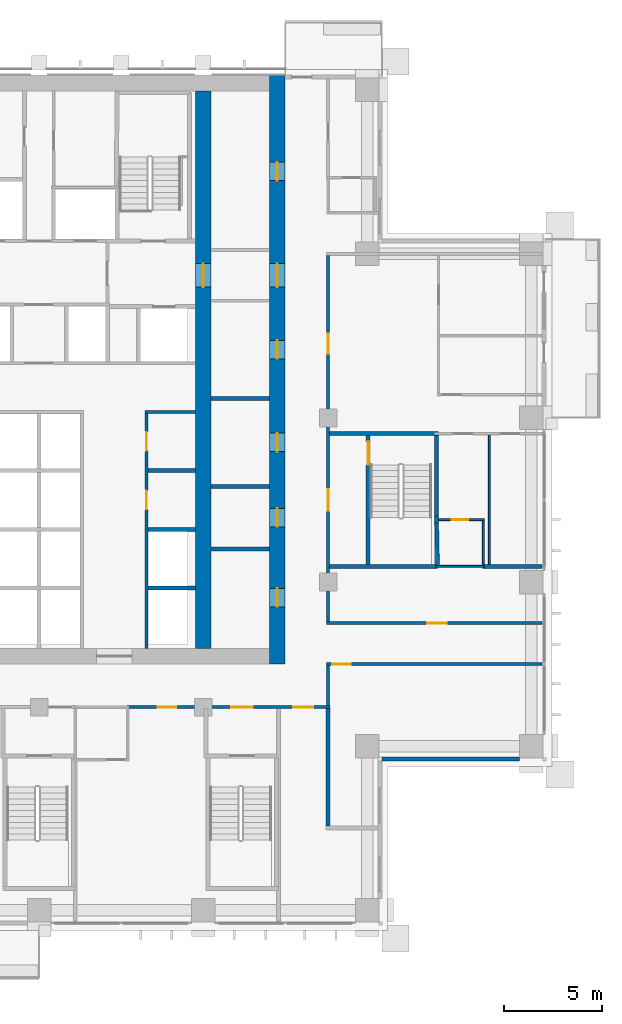
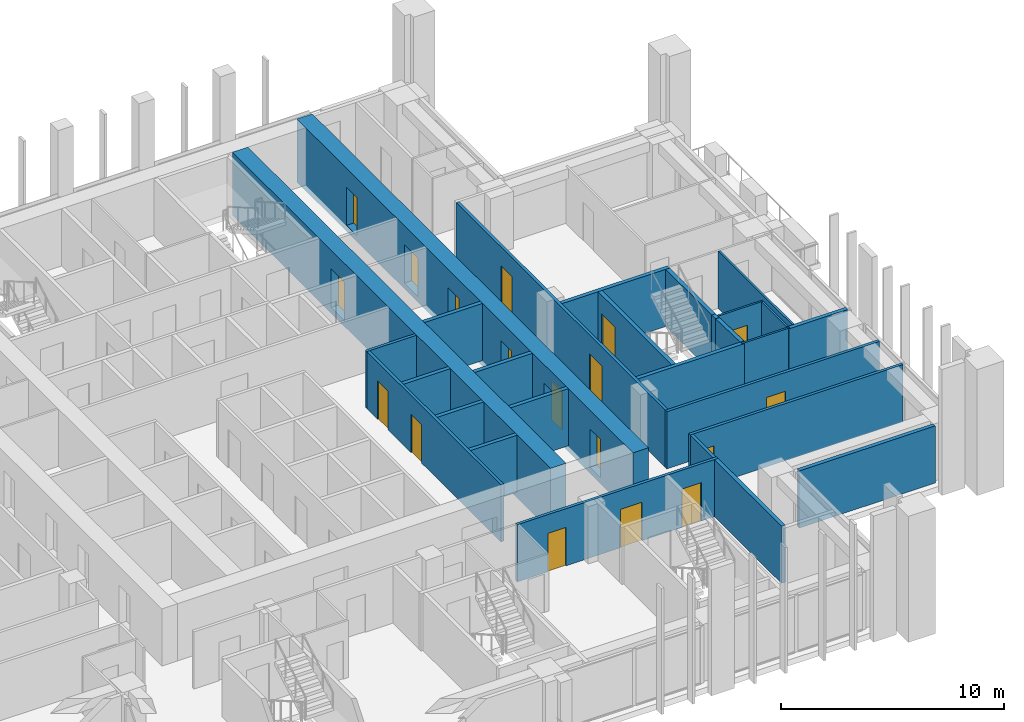
# One storey, part 9 of 17: 28 walls, 18 doors, 18 openings.
"""IFC4 building model written with IfcOpenShell, lengths in metres."""

from ifc_helpers import new_model, si_unit, direction, frame, frame_2d, origin, place, context, subcontext, project, spatial, rectangle, extrude, material, layer, layer_set, type_object, element, fill, save


model = new_model("IFC4")

# Units and contexts
model_context = context("Model", 3, precision=1e-05, world=origin(), true_north=direction((0.0, 1.0)))
body_context = subcontext(model_context, "Body", "Model", "MODEL_VIEW")
ifc_project = project(units=[si_unit("LENGTHUNIT", "METRE"), si_unit("AREAUNIT", "SQUARE_METRE"), si_unit("VOLUMEUNIT", "CUBIC_METRE"), si_unit("PLANEANGLEUNIT", "RADIAN"), si_unit("MASSUNIT", "GRAM", prefix="KILO")], contexts=[model_context])

# Site, building, storey
site_placement = place(None, origin())
site = spatial("IfcSite", under=ifc_project, at=site_placement, CompositionType="ELEMENT")
building_placement = place(site_placement, origin())
building = spatial("IfcBuilding", under=site, at=building_placement, Name="Vermilion Ogive Tower", CompositionType="ELEMENT")
storey_placement = place(building_placement, frame((0.0, 0.0, 111.449951171875)))
storey = spatial("IfcBuildingStorey", under=building, at=storey_placement, Name="L28", CompositionType="ELEMENT", Elevation=111.449951171875)

# Wall, openings, doors
ifc_material_1 = material(Name="Concrete B80", Category="concrete")
ifc_layer_1 = layer(ifc_material_1, 0.800048828125)
ifc_layer_set_1 = layer_set([ifc_layer_1], Name="Core wall 800 B80")
wall_type_1 = type_object("IfcWallType", Name="Core wall 800 B80", PredefinedType="SHEAR", material=ifc_layer_set_1)
wall_1_placement = place(storey_placement, frame((12.199951171875, -8.39990234375, -0.320068359375), z_axis=(0.0, 0.0, 1.0), x_axis=(0.0, 1.0, 0.0)))
wall_1 = element("IfcWall", 1, at=wall_1_placement, inside=storey, type_object=wall_type_1, Name="L28-CORE-E", PredefinedType="SHEAR", context=body_context, shape_type="SweptSolid", body=[
    extrude(rectangle(XDim=30.14990234375, YDim=0.800048828125, at=frame_2d((15.074951171875, 0.0))), origin(), (0.0, 0.0, 1.0), 3.4501953125),
])
opening_1_placement = place(wall_1_placement, frame((2.925048828125, 0.0, 0.320068359375)))
opening_1 = element("IfcOpeningElement", 2, at=opening_1_placement, cuts=wall_1, Name="Opening DAC056", PredefinedType="OPENING", context=body_context, shape_type="SweptSolid", body=[
    extrude(rectangle(XDim=0.949951171875, YDim=2.10009765625, at=frame_2d((0.47509765625, 1.050048828125))), frame((0.0, 0.409912109375, 0.0), z_axis=(0.0, -1.0, 0.0), x_axis=(1.0, 0.0, 0.0)), (0.0, 0.0, 1.0), 0.820068359375),
])
opening_2_placement = place(wall_1_placement, frame((7.02490234375, 0.0, 0.320068359375)))
opening_2 = element("IfcOpeningElement", 3, at=opening_2_placement, cuts=wall_1, Name="Opening DAC057", PredefinedType="OPENING", context=body_context, shape_type="SweptSolid", body=[
    extrude(rectangle(XDim=0.949951171875, YDim=2.10009765625, at=frame_2d((0.47509765625, 1.050048828125))), frame((0.0, 0.409912109375, 0.0), z_axis=(0.0, -1.0, 0.0), x_axis=(1.0, 0.0, 0.0)), (0.0, 0.0, 1.0), 0.820068359375),
])
opening_3_placement = place(wall_1_placement, frame((10.875, 0.0, 0.320068359375)))
opening_3 = element("IfcOpeningElement", 4, at=opening_3_placement, cuts=wall_1, Name="Opening DAC058", PredefinedType="OPENING", context=body_context, shape_type="SweptSolid", body=[
    extrude(rectangle(XDim=0.949951171875, YDim=2.10009765625, at=frame_2d((0.47509765625, 1.050048828125))), frame((0.0, 0.409912109375, 0.0), z_axis=(0.0, -1.0, 0.0), x_axis=(1.0, 0.0, 0.0)), (0.0, 0.0, 1.0), 0.820068359375),
])
opening_4_placement = place(wall_1_placement, frame((15.625, 0.0, 0.320068359375)))
opening_4 = element("IfcOpeningElement", 5, at=opening_4_placement, cuts=wall_1, Name="Opening DAC059", PredefinedType="OPENING", context=body_context, shape_type="SweptSolid", body=[
    extrude(rectangle(XDim=0.949951171875, YDim=2.10009765625, at=frame_2d((0.47509765625, 1.050048828125))), frame((0.0, 0.409912109375, 0.0), z_axis=(0.0, -1.0, 0.0), x_axis=(1.0, 0.0, 0.0)), (0.0, 0.0, 1.0), 0.820068359375),
])
opening_5_placement = place(wall_1_placement, frame((24.75, 0.0, 0.320068359375)))
opening_5 = element("IfcOpeningElement", 6, at=opening_5_placement, cuts=wall_1, Name="Opening DAC060", PredefinedType="OPENING", context=body_context, shape_type="SweptSolid", body=[
    extrude(rectangle(XDim=0.949951171875, YDim=2.10009765625, at=frame_2d((0.47509765625, 1.050048828125))), frame((0.0, 0.409912109375, 0.0), z_axis=(0.0, -1.0, 0.0), x_axis=(1.0, 0.0, 0.0)), (0.0, 0.0, 1.0), 0.820068359375),
])
opening_6_placement = place(wall_1_placement, frame((19.300048828125, 0.0, 0.320068359375)))
opening_6 = element("IfcOpeningElement", 7, at=opening_6_placement, cuts=wall_1, Name="Opening DAL011", PredefinedType="OPENING", context=body_context, shape_type="SweptSolid", body=[
    extrude(rectangle(XDim=1.199951171875, YDim=2.10009765625, at=frame_2d((0.60009765625, 1.050048828125))), frame((0.0, 0.409912109375, 0.0), z_axis=(0.0, -1.0, 0.0), x_axis=(1.0, 0.0, 0.0)), (0.0, 0.0, 1.0), 0.820068359375),
])
ifc_material_2 = material(Name="Timber door leaf", Category="wood")
door_type_1 = type_object("IfcDoorType", Name="Link door 1200 x 2100 FD60S", OperationType="SINGLE_SWING_LEFT", PredefinedType="DOOR", material=ifc_material_2)
door_1_placement = place(opening_6_placement, origin())
door_1 = element("IfcDoor", 8, at=door_1_placement, inside=storey, type_object=door_type_1, Name="L28-CKE-XL", OperationType="SINGLE_SWING_LEFT", OverallHeight=2.10009765625, OverallWidth=1.199951171875, PredefinedType="DOOR", context=body_context, shape_type="SweptSolid", body=[
    extrude(rectangle(XDim=1.199951171875, YDim=2.10009765625, at=frame_2d((0.60009765625, 1.050048828125))), frame((0.0, 0.02490234375, 0.0), z_axis=(0.0, -1.0, 0.0), x_axis=(1.0, 0.0, 0.0)), (0.0, 0.0, 1.0), 0.050048828125),
])
fill(opening_6, door_1)
ifc_material_3 = material(Name="Timber door leaf", Category="wood")
door_type_2 = type_object("IfcDoorType", Name="Service door 950 x 2100 FD60", OperationType="SINGLE_SWING_LEFT", PredefinedType="DOOR", material=ifc_material_3)
door_2_placement = place(opening_1_placement, origin())
door_2 = element("IfcDoor", 9, at=door_2_placement, inside=storey, type_object=door_type_2, Name="L28-CKE-XR0", OperationType="SINGLE_SWING_LEFT", OverallHeight=2.10009765625, OverallWidth=0.949951171875, PredefinedType="DOOR", context=body_context, shape_type="SweptSolid", body=[
    extrude(rectangle(XDim=0.949951171875, YDim=2.10009765625, at=frame_2d((0.47509765625, 1.050048828125))), frame((0.0, 0.02490234375, 0.0), z_axis=(0.0, -1.0, 0.0), x_axis=(1.0, 0.0, 0.0)), (0.0, 0.0, 1.0), 0.050048828125),
])
fill(opening_1, door_2)
door_3_placement = place(opening_2_placement, origin())
door_3 = element("IfcDoor", 10, at=door_3_placement, inside=storey, type_object=door_type_2, Name="L28-CKE-XR1", OperationType="SINGLE_SWING_LEFT", OverallHeight=2.10009765625, OverallWidth=0.949951171875, PredefinedType="DOOR", context=body_context, shape_type="SweptSolid", body=[
    extrude(rectangle(XDim=0.949951171875, YDim=2.10009765625, at=frame_2d((0.47509765625, 1.050048828125))), frame((0.0, 0.02490234375, 0.0), z_axis=(0.0, -1.0, 0.0), x_axis=(1.0, 0.0, 0.0)), (0.0, 0.0, 1.0), 0.050048828125),
])
fill(opening_2, door_3)
door_4_placement = place(opening_3_placement, origin())
door_4 = element("IfcDoor", 11, at=door_4_placement, inside=storey, type_object=door_type_2, Name="L28-CKE-XR2", OperationType="SINGLE_SWING_LEFT", OverallHeight=2.10009765625, OverallWidth=0.949951171875, PredefinedType="DOOR", context=body_context, shape_type="SweptSolid", body=[
    extrude(rectangle(XDim=0.949951171875, YDim=2.10009765625, at=frame_2d((0.47509765625, 1.050048828125))), frame((0.0, 0.02490234375, 0.0), z_axis=(0.0, -1.0, 0.0), x_axis=(1.0, 0.0, 0.0)), (0.0, 0.0, 1.0), 0.050048828125),
])
fill(opening_3, door_4)
door_5_placement = place(opening_4_placement, origin())
door_5 = element("IfcDoor", 12, at=door_5_placement, inside=storey, type_object=door_type_2, Name="L28-CKE-XR3", OperationType="SINGLE_SWING_LEFT", OverallHeight=2.10009765625, OverallWidth=0.949951171875, PredefinedType="DOOR", context=body_context, shape_type="SweptSolid", body=[
    extrude(rectangle(XDim=0.949951171875, YDim=2.10009765625, at=frame_2d((0.47509765625, 1.050048828125))), frame((0.0, 0.02490234375, 0.0), z_axis=(0.0, -1.0, 0.0), x_axis=(1.0, 0.0, 0.0)), (0.0, 0.0, 1.0), 0.050048828125),
])
fill(opening_4, door_5)
door_6_placement = place(opening_5_placement, origin())
door_6 = element("IfcDoor", 13, at=door_6_placement, inside=storey, type_object=door_type_2, Name="L28-CKE-XR4", OperationType="SINGLE_SWING_LEFT", OverallHeight=2.10009765625, OverallWidth=0.949951171875, PredefinedType="DOOR", context=body_context, shape_type="SweptSolid", body=[
    extrude(rectangle(XDim=0.949951171875, YDim=2.10009765625, at=frame_2d((0.47509765625, 1.050048828125))), frame((0.0, 0.02490234375, 0.0), z_axis=(0.0, -1.0, 0.0), x_axis=(1.0, 0.0, 0.0)), (0.0, 0.0, 1.0), 0.050048828125),
])
fill(opening_5, door_6)

# Wall, opening, door
wall_2_placement = place(storey_placement, frame((8.39990234375, -7.60009765625, -0.320068359375), z_axis=(0.0, 0.0, 1.0), x_axis=(0.0, 1.0, 0.0)))
wall_2 = element("IfcWall", 14, at=wall_2_placement, inside=storey, type_object=wall_type_1, Name="L28-CORE-WEB2", PredefinedType="SHEAR", context=body_context, shape_type="SweptSolid", body=[
    extrude(rectangle(XDim=28.550048828125, YDim=0.800048828125, at=frame_2d((14.27490234375, 0.0))), origin(), (0.0, 0.0, 1.0), 3.4501953125),
])
opening_7_placement = place(wall_2_placement, frame((18.5, 0.0, 0.320068359375)))
opening_7 = element("IfcOpeningElement", 15, at=opening_7_placement, cuts=wall_2, Name="Opening DAO011", PredefinedType="OPENING", context=body_context, shape_type="SweptSolid", body=[
    extrude(rectangle(XDim=1.199951171875, YDim=2.10009765625, at=frame_2d((0.60009765625, 1.050048828125))), frame((0.0, 0.409912109375, 0.0), z_axis=(0.0, -1.0, 0.0), x_axis=(1.0, 0.0, 0.0)), (0.0, 0.0, 1.0), 0.820068359375),
])
door_7_placement = place(opening_7_placement, origin())
door_7 = element("IfcDoor", 16, at=door_7_placement, inside=storey, type_object=door_type_1, Name="L28-CKE-XW", OperationType="SINGLE_SWING_LEFT", OverallHeight=2.10009765625, OverallWidth=1.199951171875, PredefinedType="DOOR", context=body_context, shape_type="SweptSolid", body=[
    extrude(rectangle(XDim=1.199951171875, YDim=2.10009765625, at=frame_2d((0.60009765625, 1.050048828125))), frame((0.0, 0.02490234375, 0.0), z_axis=(0.0, -1.0, 0.0), x_axis=(1.0, 0.0, 0.0)), (0.0, 0.0, 1.0), 0.050048828125),
])
fill(opening_7, door_7)

# Wall
ifc_material_4 = material(Name="Gypsum board partition on steel studs", Category="steel")
ifc_layer_2 = layer(ifc_material_4, 0.10009765625)
ifc_layer_set_2 = layer_set([ifc_layer_2], Name="Partition 100 bath")
wall_type_2 = type_object("IfcWallType", Name="Partition 100 bath", PredefinedType="PARTITIONING", material=ifc_layer_set_2)
wall_3_placement = place(storey_placement, frame((20.300048828125, -3.39990234375, 0.0), z_axis=(0.0, 0.0, 1.0), x_axis=(1.0, 0.0, 0.0)))
element("IfcWall", 17, at=wall_3_placement, inside=storey, type_object=wall_type_2, Name="L28-W-W023", PredefinedType="PARTITIONING", context=body_context, shape_type="SweptSolid", body=[
    extrude(rectangle(XDim=2.5, YDim=0.10009765625, at=frame_2d((1.25, 0.0))), origin(), (0.0, 0.0, 1.0), 3.130126953125),
])

# Wall, opening, door
wall_4_placement = place(storey_placement, frame((20.449951171875, -1.0, 0.0), z_axis=(0.0, 0.0, 1.0), x_axis=(1.0, 0.0, 0.0)))
wall_4 = element("IfcWall", 18, at=wall_4_placement, inside=storey, type_object=wall_type_2, Name="L28-W-W025", PredefinedType="PARTITIONING", context=body_context, shape_type="SweptSolid", body=[
    extrude(rectangle(XDim=2.35009765625, YDim=0.10009765625, at=frame_2d((1.175048828125, 0.0))), origin(), (0.0, 0.0, 1.0), 3.130126953125),
])
opening_8_placement = place(wall_4_placement, frame((0.675048828125, 0.0, 0.0)))
opening_8 = element("IfcOpeningElement", 19, at=opening_8_placement, cuts=wall_4, Name="Opening D2G5020", PredefinedType="OPENING", context=body_context, shape_type="SweptSolid", body=[
    extrude(rectangle(XDim=0.85009765625, YDim=2.10009765625, at=frame_2d((0.425048828125, 1.050048828125))), frame((0.0, 0.06005859375, 0.0), z_axis=(0.0, -1.0, 0.0), x_axis=(1.0, 0.0, 0.0)), (0.0, 0.0, 1.0), 0.1201171875),
])
ifc_material_5 = material(Name="Timber door leaf", Category="wood")
door_type_3 = type_object("IfcDoorType", Name="Bath door 850 x 2100 FD30", OperationType="SINGLE_SWING_LEFT", PredefinedType="DOOR", material=ifc_material_5)
door_8_placement = place(opening_8_placement, origin())
door_8 = element("IfcDoor", 20, at=door_8_placement, inside=storey, type_object=door_type_3, Name="L28-D-D020", OperationType="SINGLE_SWING_RIGHT", OverallHeight=2.10009765625, OverallWidth=0.85009765625, PredefinedType="DOOR", context=body_context, shape_type="SweptSolid", body=[
    extrude(rectangle(XDim=0.85009765625, YDim=2.10009765625, at=frame_2d((0.425048828125, 1.050048828125))), frame((0.0, 0.02490234375, 0.0), z_axis=(0.0, -1.0, 0.0), x_axis=(1.0, 0.0, 0.0)), (0.0, 0.0, 1.0), 0.050048828125),
])
fill(opening_8, door_8)

# Walls
wall_5_placement = place(storey_placement, frame((22.75, -3.300048828125, 0.0), z_axis=(0.0, 0.0, 1.0), x_axis=(0.0, 1.0, 0.0)))
element("IfcWall", 21, at=wall_5_placement, inside=storey, type_object=wall_type_2, Name="L28-W-W077", PredefinedType="PARTITIONING", context=body_context, shape_type="SweptSolid", body=[
    extrude(rectangle(XDim=2.25, YDim=0.10009765625, at=frame_2d((1.125, 0.0))), origin(), (0.0, 0.0, 1.0), 3.130126953125),
])
ifc_material_6 = material(Name="Gypsum board partition on steel studs", Category="steel")
ifc_layer_3 = layer(ifc_material_6, 0.10009765625)
ifc_layer_set_3 = layer_set([ifc_layer_3], Name="Partition 100 inner")
wall_type_3 = type_object("IfcWallType", Name="Partition 100 inner", PredefinedType="PARTITIONING", material=ifc_layer_set_3)
wall_6_placement = place(storey_placement, frame((23.050048828125, -3.300048828125, 0.0), z_axis=(0.0, 0.0, 1.0), x_axis=(0.0, 1.0, 0.0)))
element("IfcWall", 22, at=wall_6_placement, inside=storey, type_object=wall_type_3, Name="L28-W-W078", PredefinedType="PARTITIONING", context=body_context, shape_type="SweptSolid", body=[
    extrude(rectangle(XDim=6.650146484375, YDim=0.10009765625, at=frame_2d((3.3251953125, 0.0))), origin(), (0.0, 0.0, 1.0), 3.130126953125),
])

# Wall, openings, doors
ifc_material_7 = material(Name="Gypsum board partition on steel studs", Category="steel")
ifc_layer_4 = layer(ifc_material_7, 0.14990234375)
ifc_layer_set_4 = layer_set([ifc_layer_4], Name="Partition 150 corridor")
wall_type_4 = type_object("IfcWallType", Name="Partition 150 corridor", PredefinedType="PARTITIONING", material=ifc_layer_set_4)
wall_7_placement = place(storey_placement, frame((4.5, -10.60009765625, 0.0), z_axis=(0.0, 0.0, 1.0), x_axis=(1.0, 0.0, 0.0)))
wall_7 = element("IfcWall", 23, at=wall_7_placement, inside=storey, type_object=wall_type_4, Name="L28-W-W013", PredefinedType="PARTITIONING", context=body_context, shape_type="SweptSolid", body=[
    extrude(rectangle(XDim=10.39990234375, YDim=0.14990234375, at=frame_2d((5.199951171875, 0.0))), origin(), (0.0, 0.0, 1.0), 3.130126953125),
])
opening_9_placement = place(wall_7_placement, frame((1.574951171875, 0.0, 0.0)))
opening_9 = element("IfcOpeningElement", 24, at=opening_9_placement, cuts=wall_7, Name="Opening D2G5012", PredefinedType="OPENING", context=body_context, shape_type="SweptSolid", body=[
    extrude(rectangle(XDim=0.949951171875, YDim=2.10009765625, at=frame_2d((0.47509765625, 1.050048828125))), frame((0.0, 0.0849609375, 0.0), z_axis=(0.0, -1.0, 0.0), x_axis=(1.0, 0.0, 0.0)), (0.0, 0.0, 1.0), 0.169921875),
])
opening_10_placement = place(wall_7_placement, frame((5.35009765625, 0.0, 0.0)))
opening_10 = element("IfcOpeningElement", 25, at=opening_10_placement, cuts=wall_7, Name="Opening D2G5027", PredefinedType="OPENING", context=body_context, shape_type="SweptSolid", body=[
    extrude(rectangle(XDim=1.10009765625, YDim=2.10009765625, at=frame_2d((0.550048828125, 1.050048828125))), frame((0.0, 0.0849609375, 0.0), z_axis=(0.0, -1.0, 0.0), x_axis=(1.0, 0.0, 0.0)), (0.0, 0.0, 1.0), 0.169921875),
])
opening_11_placement = place(wall_7_placement, frame((8.52490234375, 0.0, 0.0)))
opening_11 = element("IfcOpeningElement", 26, at=opening_11_placement, cuts=wall_7, Name="Opening D2G5033", PredefinedType="OPENING", context=body_context, shape_type="SweptSolid", body=[
    extrude(rectangle(XDim=1.0, YDim=2.10009765625, at=frame_2d((0.5, 1.050048828125))), frame((0.0, 0.0849609375, 0.0), z_axis=(0.0, -1.0, 0.0), x_axis=(1.0, 0.0, 0.0)), (0.0, 0.0, 1.0), 0.169921875),
])
ifc_material_8 = material(Name="Timber door leaf", Category="wood")
door_type_4 = type_object("IfcDoorType", Name="Stair door 1100 x 2100 FD60S", OperationType="SINGLE_SWING_LEFT", PredefinedType="DOOR", material=ifc_material_8)
door_9_placement = place(opening_10_placement, origin())
door_9 = element("IfcDoor", 27, at=door_9_placement, inside=storey, type_object=door_type_4, Name="L28-D-D027", OperationType="SINGLE_SWING_LEFT", OverallHeight=2.10009765625, OverallWidth=1.10009765625, PredefinedType="DOOR", context=body_context, shape_type="SweptSolid", body=[
    extrude(rectangle(XDim=1.10009765625, YDim=2.10009765625, at=frame_2d((0.550048828125, 1.050048828125))), frame((0.0, 0.02490234375, 0.0), z_axis=(0.0, -1.0, 0.0), x_axis=(1.0, 0.0, 0.0)), (0.0, 0.0, 1.0), 0.050048828125),
])
fill(opening_10, door_9)
ifc_material_9 = material(Name="Timber door leaf", Category="wood")
door_type_5 = type_object("IfcDoorType", Name="Unit door 1000 x 2100 FD30S", OperationType="SINGLE_SWING_LEFT", PredefinedType="DOOR", material=ifc_material_9)
door_10_placement = place(opening_11_placement, origin())
door_10 = element("IfcDoor", 28, at=door_10_placement, inside=storey, type_object=door_type_5, Name="L28-D-D033", OperationType="SINGLE_SWING_LEFT", OverallHeight=2.10009765625, OverallWidth=1.0, PredefinedType="DOOR", context=body_context, shape_type="SweptSolid", body=[
    extrude(rectangle(XDim=1.0, YDim=2.10009765625, at=frame_2d((0.5, 1.050048828125))), frame((0.0, 0.02490234375, 0.0), z_axis=(0.0, -1.0, 0.0), x_axis=(1.0, 0.0, 0.0)), (0.0, 0.0, 1.0), 0.050048828125),
])
fill(opening_11, door_10)
ifc_material_10 = material(Name="Timber door leaf", Category="wood")
door_type_6 = type_object("IfcDoorType", Name="Unit door 950 x 2100 FD30S", OperationType="SINGLE_SWING_LEFT", PredefinedType="DOOR", material=ifc_material_10)
door_11_placement = place(opening_9_placement, origin())
door_11 = element("IfcDoor", 29, at=door_11_placement, inside=storey, type_object=door_type_6, Name="L28-D-D012", OperationType="SINGLE_SWING_LEFT", OverallHeight=2.10009765625, OverallWidth=0.949951171875, PredefinedType="DOOR", context=body_context, shape_type="SweptSolid", body=[
    extrude(rectangle(XDim=0.949951171875, YDim=2.10009765625, at=frame_2d((0.47509765625, 1.050048828125))), frame((0.0, 0.02490234375, 0.0), z_axis=(0.0, -1.0, 0.0), x_axis=(1.0, 0.0, 0.0)), (0.0, 0.0, 1.0), 0.050048828125),
])
fill(opening_9, door_11)

# Wall, opening, door
wall_8_placement = place(storey_placement, frame((14.72509765625, -8.39990234375, 0.0), z_axis=(0.0, 0.0, 1.0), x_axis=(1.0, 0.0, 0.0)))
wall_8 = element("IfcWall", 30, at=wall_8_placement, inside=storey, type_object=wall_type_4, Name="L28-W-W016", PredefinedType="PARTITIONING", context=body_context, shape_type="SweptSolid", body=[
    extrude(rectangle(XDim=11.02490234375, YDim=0.14990234375, at=frame_2d((5.512451171875, 0.0))), origin(), (0.0, 0.0, 1.0), 3.130126953125),
])
opening_12_placement = place(wall_8_placement, frame((0.27490234375, 0.0, 0.0)))
opening_12 = element("IfcOpeningElement", 31, at=opening_12_placement, cuts=wall_8, Name="Opening D2G5014", PredefinedType="OPENING", context=body_context, shape_type="SweptSolid", body=[
    extrude(rectangle(XDim=0.949951171875, YDim=2.10009765625, at=frame_2d((0.47509765625, 1.050048828125))), frame((0.0, 0.0849609375, 0.0), z_axis=(0.0, -1.0, 0.0), x_axis=(1.0, 0.0, 0.0)), (0.0, 0.0, 1.0), 0.169921875),
])
door_12_placement = place(opening_12_placement, origin())
door_12 = element("IfcDoor", 32, at=door_12_placement, inside=storey, type_object=door_type_6, Name="L28-D-D014", OperationType="SINGLE_SWING_RIGHT", OverallHeight=2.10009765625, OverallWidth=0.949951171875, PredefinedType="DOOR", context=body_context, shape_type="SweptSolid", body=[
    extrude(rectangle(XDim=0.949951171875, YDim=2.10009765625, at=frame_2d((0.47509765625, 1.050048828125))), frame((0.0, 0.02490234375, 0.0), z_axis=(0.0, -1.0, 0.0), x_axis=(1.0, 0.0, 0.0)), (0.0, 0.0, 1.0), 0.050048828125),
])
fill(opening_12, door_12)

wall_9_placement = place(storey_placement, frame((14.72509765625, -6.300048828125, 0.0), z_axis=(0.0, 0.0, 1.0), x_axis=(1.0, 0.0, 0.0)))
wall_9 = element("IfcWall", 33, at=wall_9_placement, inside=storey, type_object=wall_type_4, Name="L28-W-W018", PredefinedType="PARTITIONING", context=body_context, shape_type="SweptSolid", body=[
    extrude(rectangle(XDim=11.02490234375, YDim=0.14990234375, at=frame_2d((5.512451171875, 0.0))), origin(), (0.0, 0.0, 1.0), 3.130126953125),
])
opening_13_placement = place(wall_9_placement, frame((5.14990234375, 0.0, 0.0)))
opening_13 = element("IfcOpeningElement", 34, at=opening_13_placement, cuts=wall_9, Name="Opening D2G5035", PredefinedType="OPENING", context=body_context, shape_type="SweptSolid", body=[
    extrude(rectangle(XDim=1.0, YDim=2.10009765625, at=frame_2d((0.5, 1.050048828125))), frame((0.0, 0.0849609375, 0.0), z_axis=(0.0, -1.0, 0.0), x_axis=(1.0, 0.0, 0.0)), (0.0, 0.0, 1.0), 0.169921875),
])
door_13_placement = place(opening_13_placement, origin())
door_13 = element("IfcDoor", 35, at=door_13_placement, inside=storey, type_object=door_type_5, Name="L28-D-D035", OperationType="SINGLE_SWING_RIGHT", OverallHeight=2.10009765625, OverallWidth=1.0, PredefinedType="DOOR", context=body_context, shape_type="SweptSolid", body=[
    extrude(rectangle(XDim=1.0, YDim=2.10009765625, at=frame_2d((0.5, 1.050048828125))), frame((0.0, 0.02490234375, 0.0), z_axis=(0.0, -1.0, 0.0), x_axis=(1.0, 0.0, 0.0)), (0.0, 0.0, 1.0), 0.050048828125),
])
fill(opening_13, door_13)

# Wall
wall_10_placement = place(storey_placement, frame((14.800048828125, -10.52490234375, 0.0), z_axis=(0.0, 0.0, 1.0), x_axis=(0.0, 1.0, 0.0)))
element("IfcWall", 36, at=wall_10_placement, inside=storey, type_object=wall_type_4, Name="L28-W-W068", PredefinedType="PARTITIONING", context=body_context, shape_type="SweptSolid", body=[
    extrude(rectangle(XDim=2.0498046875, YDim=0.14990234375, at=frame_2d((1.02490234375, 0.0))), origin(), (0.0, 0.0, 1.0), 3.130126953125),
])

# Wall, openings, doors
wall_11_placement = place(storey_placement, frame((14.800048828125, -6.22509765625, 0.0), z_axis=(0.0, 0.0, 1.0), x_axis=(0.0, 1.0, 0.0)))
wall_11 = element("IfcWall", 37, at=wall_11_placement, inside=storey, type_object=wall_type_4, Name="L28-W-W069", PredefinedType="PARTITIONING", context=body_context, shape_type="SweptSolid", body=[
    extrude(rectangle(XDim=18.75, YDim=0.14990234375, at=frame_2d((9.375, 0.0))), origin(), (0.0, 0.0, 1.0), 3.130126953125),
])
opening_14_placement = place(wall_11_placement, frame((13.72509765625, 0.0, 0.0)))
opening_14 = element("IfcOpeningElement", 38, at=opening_14_placement, cuts=wall_11, Name="Opening D2G5018", PredefinedType="OPENING", context=body_context, shape_type="SweptSolid", body=[
    extrude(rectangle(XDim=1.0, YDim=2.10009765625, at=frame_2d((0.5, 1.050048828125))), frame((0.0, 0.0849609375, 0.0), z_axis=(0.0, -1.0, 0.0), x_axis=(1.0, 0.0, 0.0)), (0.0, 0.0, 1.0), 0.169921875),
])
opening_15_placement = place(wall_11_placement, frame((5.675048828125, 0.0, 0.0)))
opening_15 = element("IfcOpeningElement", 39, at=opening_15_placement, cuts=wall_11, Name="Opening D2G5029", PredefinedType="OPENING", context=body_context, shape_type="SweptSolid", body=[
    extrude(rectangle(XDim=1.10009765625, YDim=2.10009765625, at=frame_2d((0.550048828125, 1.050048828125))), frame((0.0, 0.0849609375, 0.0), z_axis=(0.0, -1.0, 0.0), x_axis=(1.0, 0.0, 0.0)), (0.0, 0.0, 1.0), 0.169921875),
])
door_14_placement = place(opening_15_placement, origin())
door_14 = element("IfcDoor", 40, at=door_14_placement, inside=storey, type_object=door_type_4, Name="L28-D-D029", OperationType="SINGLE_SWING_LEFT", OverallHeight=2.10009765625, OverallWidth=1.10009765625, PredefinedType="DOOR", context=body_context, shape_type="SweptSolid", body=[
    extrude(rectangle(XDim=1.10009765625, YDim=2.10009765625, at=frame_2d((0.550048828125, 1.050048828125))), frame((0.0, 0.02490234375, 0.0), z_axis=(0.0, -1.0, 0.0), x_axis=(1.0, 0.0, 0.0)), (0.0, 0.0, 1.0), 0.050048828125),
])
fill(opening_15, door_14)
door_15_placement = place(opening_14_placement, origin())
door_15 = element("IfcDoor", 41, at=door_15_placement, inside=storey, type_object=door_type_5, Name="L28-D-D018", OperationType="SINGLE_SWING_RIGHT", OverallHeight=2.10009765625, OverallWidth=1.0, PredefinedType="DOOR", context=body_context, shape_type="SweptSolid", body=[
    extrude(rectangle(XDim=1.0, YDim=2.10009765625, at=frame_2d((0.5, 1.050048828125))), frame((0.0, 0.02490234375, 0.0), z_axis=(0.0, -1.0, 0.0), x_axis=(1.0, 0.0, 0.0)), (0.0, 0.0, 1.0), 0.050048828125),
])
fill(opening_14, door_15)

# Wall
wall_12_placement = place(storey_placement, frame((5.425048828125, 4.5, 0.0), z_axis=(0.0, 0.0, 1.0), x_axis=(1.0, 0.0, 0.0)))
element("IfcWall", 42, at=wall_12_placement, inside=storey, type_object=wall_type_4, Name="L28-CK-W-W012", PredefinedType="PARTITIONING", context=body_context, shape_type="SweptSolid", body=[
    extrude(rectangle(XDim=2.573974609375, YDim=0.14990234375, at=frame_2d((1.287109375, 0.0))), origin(), (0.0, 0.0, 1.0), 3.130126953125),
])

# Wall, openings, doors
wall_13_placement = place(storey_placement, frame((5.5, -7.59912109375, 0.0), z_axis=(0.0, 0.0, 1.0), x_axis=(0.0, 1.0, 0.0)))
wall_13 = element("IfcWall", 43, at=wall_13_placement, inside=storey, type_object=wall_type_4, Name="L28-CK-W-W040", PredefinedType="PARTITIONING", context=body_context, shape_type="SweptSolid", body=[
    extrude(rectangle(XDim=12.024169921875, YDim=0.14990234375, at=frame_2d((6.01220703125, 0.0))), origin(), (0.0, 0.0, 1.0), 3.130126953125),
])
opening_16_placement = place(wall_13_placement, frame((7.1240234375, 0.0, 0.0)))
opening_16 = element("IfcOpeningElement", 44, at=opening_16_placement, cuts=wall_13, Name="Opening DAA235", PredefinedType="OPENING", context=body_context, shape_type="SweptSolid", body=[
    extrude(rectangle(XDim=0.949951171875, YDim=2.10009765625, at=frame_2d((0.47509765625, 1.050048828125))), frame((0.0, 0.0849609375, 0.0), z_axis=(0.0, -1.0, 0.0), x_axis=(1.0, 0.0, 0.0)), (0.0, 0.0, 1.0), 0.169921875),
])
opening_17_placement = place(wall_13_placement, frame((10.1240234375, 0.0, 0.0)))
opening_17 = element("IfcOpeningElement", 45, at=opening_17_placement, cuts=wall_13, Name="Opening DAA236", PredefinedType="OPENING", context=body_context, shape_type="SweptSolid", body=[
    extrude(rectangle(XDim=0.949951171875, YDim=2.10009765625, at=frame_2d((0.47509765625, 1.050048828125))), frame((0.0, 0.0849609375, 0.0), z_axis=(0.0, -1.0, 0.0), x_axis=(1.0, 0.0, 0.0)), (0.0, 0.0, 1.0), 0.169921875),
])
door_16_placement = place(opening_16_placement, origin())
door_16 = element("IfcDoor", 46, at=door_16_placement, inside=storey, type_object=door_type_2, Name="L28-CK-D-D009", OperationType="SINGLE_SWING_RIGHT", OverallHeight=2.10009765625, OverallWidth=0.949951171875, PredefinedType="DOOR", context=body_context, shape_type="SweptSolid", body=[
    extrude(rectangle(XDim=0.949951171875, YDim=2.10009765625, at=frame_2d((0.47509765625, 1.050048828125))), frame((0.0, 0.02490234375, 0.0), z_axis=(0.0, -1.0, 0.0), x_axis=(1.0, 0.0, 0.0)), (0.0, 0.0, 1.0), 0.050048828125),
])
fill(opening_16, door_16)
door_17_placement = place(opening_17_placement, origin())
door_17 = element("IfcDoor", 47, at=door_17_placement, inside=storey, type_object=door_type_2, Name="L28-CK-D-D010", OperationType="SINGLE_SWING_RIGHT", OverallHeight=2.10009765625, OverallWidth=0.949951171875, PredefinedType="DOOR", context=body_context, shape_type="SweptSolid", body=[
    extrude(rectangle(XDim=0.949951171875, YDim=2.10009765625, at=frame_2d((0.47509765625, 1.050048828125))), frame((0.0, 0.02490234375, 0.0), z_axis=(0.0, -1.0, 0.0), x_axis=(1.0, 0.0, 0.0)), (0.0, 0.0, 1.0), 0.050048828125),
])
fill(opening_17, door_17)

# Walls
ifc_material_11 = material(Name="Gypsum board partition on steel studs", Category="steel")
ifc_layer_5 = layer(ifc_material_11, 0.199951171875)
ifc_layer_set_5 = layer_set([ifc_layer_5], Name="Partition 200 party")
wall_type_5 = type_object("IfcWallType", Name="Partition 200 party", PredefinedType="PARTITIONING", material=ifc_layer_set_5)
wall_14_placement = place(storey_placement, frame((22.699951171875, -3.39990234375, 0.0), z_axis=(0.0, 0.0, 1.0), x_axis=(1.0, 0.0, 0.0)))
element("IfcWall", 48, at=wall_14_placement, inside=storey, type_object=wall_type_5, Name="L28-W-W024", PredefinedType="PARTITIONING", context=body_context, shape_type="SweptSolid", body=[
    extrude(rectangle(XDim=3.050048828125, YDim=0.199951171875, at=frame_2d((1.52490234375, 0.0))), origin(), (0.0, 0.0, 1.0), 3.130126953125),
])
wall_15_placement = place(storey_placement, frame((14.800048828125, -16.697998046875, 0.0), z_axis=(0.0, 0.0, 1.0), x_axis=(0.0, 1.0, 0.0)))
element("IfcWall", 49, at=wall_15_placement, inside=storey, type_object=wall_type_5, Name="L28-W-W067", PredefinedType="PARTITIONING", context=body_context, shape_type="SweptSolid", body=[
    extrude(rectangle(XDim=6.02294921875, YDim=0.199951171875, at=frame_2d((3.011474609375, 0.0))), origin(), (0.0, 0.0, 1.0), 3.130126953125),
])
for number, where, z_axis, x_axis, name in (
    (50, (5.574951171875, -4.5, 0.0), (0.0, 0.0, 1.0), (1.0, 0.0, 0.0), "L28-CK-W-W003"),
    (51, (5.574951171875, -1.5, 0.0), (0.0, 0.0, 1.0), (1.0, 0.0, 0.0), "L28-CK-W-W006"),
    (52, (5.574951171875, 1.5, 0.0), (0.0, 0.0, 1.0), (1.0, 0.0, 0.0), "L28-CK-W-W009"),
):
    element("IfcWall", number, at=place(storey_placement, frame(where, z_axis=z_axis, x_axis=x_axis)), inside=storey, type_object=wall_type_5, Name=name, PredefinedType="PARTITIONING", context=body_context, shape_type="SweptSolid", body=[
        extrude(rectangle(XDim=2.424072265625, YDim=0.199951171875, at=frame_2d((1.2119140625, 0.0))), origin(), (0.0, 0.0, 1.0), 3.130126953125),
    ])
for number, where, z_axis, x_axis, name in (
    (53, (8.801025390625, -2.5, 0.0), (0.0, 0.0, 1.0), (1.0, 0.0, 0.0), "L28-CKE-W-W001"),
    (54, (8.801025390625, 0.699951171875, 0.0), (0.0, 0.0, 1.0), (1.0, 0.0, 0.0), "L28-CKE-W-W002"),
    (55, (8.801025390625, 5.199951171875, 0.0), (0.0, 0.0, 1.0), (1.0, 0.0, 0.0), "L28-CKE-W-W003"),
):
    element("IfcWall", number, at=place(storey_placement, frame(where, z_axis=z_axis, x_axis=x_axis)), inside=storey, type_object=wall_type_5, Name=name, PredefinedType="PARTITIONING", context=body_context, shape_type="SweptSolid", body=[
        extrude(rectangle(XDim=2.998046875, YDim=0.199951171875, at=frame_2d((1.4990234375, 0.0))), origin(), (0.0, 0.0, 1.0), 3.130126953125),
    ])
ifc_material_12 = material(Name="Concrete B60", Category="concrete")
ifc_layer_6 = layer(ifc_material_12, 0.199951171875)
ifc_layer_set_6 = layer_set([ifc_layer_6], Name="Stair shaft wall 200 Concrete B60")
wall_type_6 = type_object("IfcWallType", Name="Stair shaft wall 200 Concrete B60", PredefinedType="SOLIDWALL", material=ifc_layer_set_6)
wall_16_placement = place(storey_placement, frame((14.875, -3.39990234375, 0.0), z_axis=(0.0, 0.0, 1.0), x_axis=(1.0, 0.0, 0.0)))
element("IfcWall", 56, at=wall_16_placement, inside=storey, type_object=wall_type_6, Name="L28-W-W022", PredefinedType="SOLIDWALL", context=body_context, shape_type="SweptSolid", body=[
    extrude(rectangle(XDim=5.52490234375, YDim=0.199951171875, at=frame_2d((2.762451171875, 0.0))), origin(), (0.0, 0.0, 1.0), 3.130126953125),
])
wall_17_placement = place(storey_placement, frame((14.875, 3.39990234375, 0.0), z_axis=(0.0, 0.0, 1.0), x_axis=(1.0, 0.0, 0.0)))
element("IfcWall", 57, at=wall_17_placement, inside=storey, type_object=wall_type_6, Name="L28-W-W029", PredefinedType="SOLIDWALL", context=body_context, shape_type="SweptSolid", body=[
    extrude(rectangle(XDim=5.574951171875, YDim=0.199951171875, at=frame_2d((2.78759765625, 0.0))), origin(), (0.0, 0.0, 1.0), 3.130126953125),
])

# Wall, opening, door
wall_18_placement = place(storey_placement, frame((16.85009765625, -3.300048828125, 0.0), z_axis=(0.0, 0.0, 1.0), x_axis=(0.0, 1.0, 0.0)))
wall_18 = element("IfcWall", 58, at=wall_18_placement, inside=storey, type_object=wall_type_6, Name="L28-W-W072", PredefinedType="SOLIDWALL", context=body_context, shape_type="SweptSolid", body=[
    extrude(rectangle(XDim=6.60009765625, YDim=0.199951171875, at=frame_2d((3.300048828125, 0.0))), origin(), (0.0, 0.0, 1.0), 3.130126953125),
])
opening_18_placement = place(wall_18_placement, frame((5.10009765625, 0.0, 0.0)))
opening_18 = element("IfcOpeningElement", 59, at=opening_18_placement, cuts=wall_18, Name="Opening D2G5030", PredefinedType="OPENING", context=body_context, shape_type="SweptSolid", body=[
    extrude(rectangle(XDim=1.199951171875, YDim=2.10009765625, at=frame_2d((0.60009765625, 1.050048828125))), frame((0.0, 0.10986328125, 0.0), z_axis=(0.0, -1.0, 0.0), x_axis=(1.0, 0.0, 0.0)), (0.0, 0.0, 1.0), 0.219970703125),
])
ifc_material_13 = material(Name="Timber door leaf", Category="wood")
door_type_7 = type_object("IfcDoorType", Name="Stair door 1200 x 2100 FD60S", OperationType="SINGLE_SWING_LEFT", PredefinedType="DOOR", material=ifc_material_13)
door_18_placement = place(opening_18_placement, origin())
door_18 = element("IfcDoor", 60, at=door_18_placement, inside=storey, type_object=door_type_7, Name="L28-D-D030", OperationType="SINGLE_SWING_LEFT", OverallHeight=2.10009765625, OverallWidth=1.199951171875, PredefinedType="DOOR", context=body_context, shape_type="SweptSolid", body=[
    extrude(rectangle(XDim=1.199951171875, YDim=2.10009765625, at=frame_2d((0.60009765625, 1.050048828125))), frame((0.0, 0.02490234375, 0.0), z_axis=(0.0, -1.0, 0.0), x_axis=(1.0, 0.0, 0.0)), (0.0, 0.0, 1.0), 0.050048828125),
])
fill(opening_18, door_18)

# Walls
wall_19_placement = place(storey_placement, frame((20.400146484375, -3.300048828125, 0.0), z_axis=(0.0, 0.0, 1.0), x_axis=(-0.021771342749, 0.999762976227, 0.0)))
element("IfcWall", 61, at=wall_19_placement, inside=storey, type_object=wall_type_6, Name="L28-W-W074", PredefinedType="SOLIDWALL", context=body_context, shape_type="SweptSolid", body=[
    extrude(rectangle(XDim=2.130615234375, YDim=0.199951171875, at=frame_2d((1.0654296875, 0.0))), origin(), (0.0, 0.0, 1.0), 3.130126953125),
])
wall_20_placement = place(storey_placement, frame((20.35009765625, -0.830078125, 0.0), z_axis=(0.0, 0.0, 1.0), x_axis=(0.0, 1.0, 0.0)))
element("IfcWall", 62, at=wall_20_placement, inside=storey, type_object=wall_type_6, Name="L28-W-W075", PredefinedType="SOLIDWALL", context=body_context, shape_type="SweptSolid", body=[
    extrude(rectangle(XDim=4.130126953125, YDim=0.199951171875, at=frame_2d((2.06494140625, 0.0))), origin(), (0.0, 0.0, 1.0), 3.130126953125),
])
wall_21_placement = place(storey_placement, frame((20.35009765625, -1.169921875, 0.0), z_axis=(0.0, 0.0, 1.0), x_axis=(0.0, 1.0, 0.0)))
element("IfcWall", 63, at=wall_21_placement, inside=storey, type_object=wall_type_6, Name="L28-SW-ST8-E1", PredefinedType="SOLIDWALL", context=body_context, shape_type="SweptSolid", body=[
    extrude(rectangle(XDim=0.33984375, YDim=0.199951171875, at=frame_2d((0.169921875, 0.0))), origin(), (0.0, 0.0, 1.0), 3.130126953125),
])
ifc_material_14 = material(Name="Aluminium window wall framing", Category="aluminium")
ifc_layer_7 = layer(ifc_material_14, 0.199951171875)
ifc_layer_set_7 = layer_set([ifc_layer_7], Name="Window wall")
wall_type_7 = type_object("IfcWallType", Name="Window wall", PredefinedType="STANDARD", material=ifc_layer_set_7)
wall_22_placement = place(storey_placement, frame((17.550048828125, -13.25, 0.0), z_axis=(0.0, 0.0, 1.0), x_axis=(1.0, 0.0, 0.0)))
element("IfcWall", 64, at=wall_22_placement, inside=storey, type_object=wall_type_7, Name="Window wall X21", PredefinedType="STANDARD", context=body_context, shape_type="SweptSolid", body=[
    extrude(rectangle(XDim=7.050048828125, YDim=0.199951171875, at=frame_2d((3.52490234375, 0.0))), origin(), (0.0, 0.0, 1.0), 3.130126953125),
])

save(model, "model.ifc")
